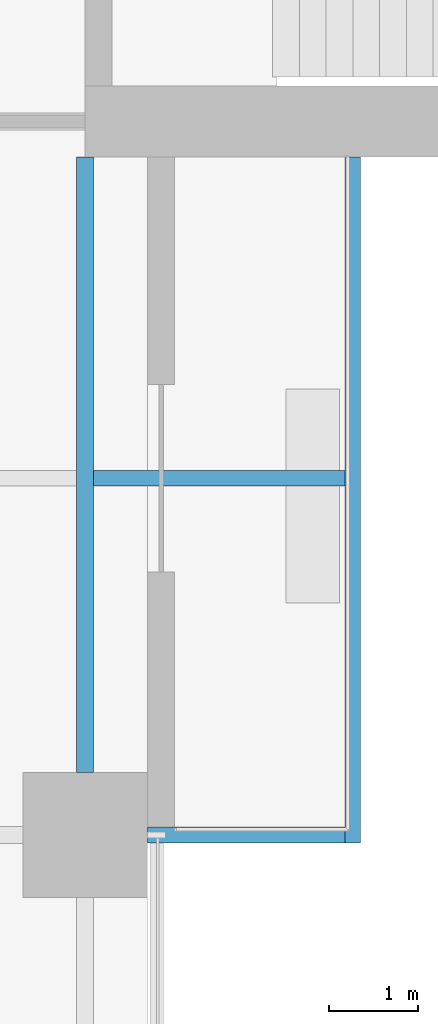
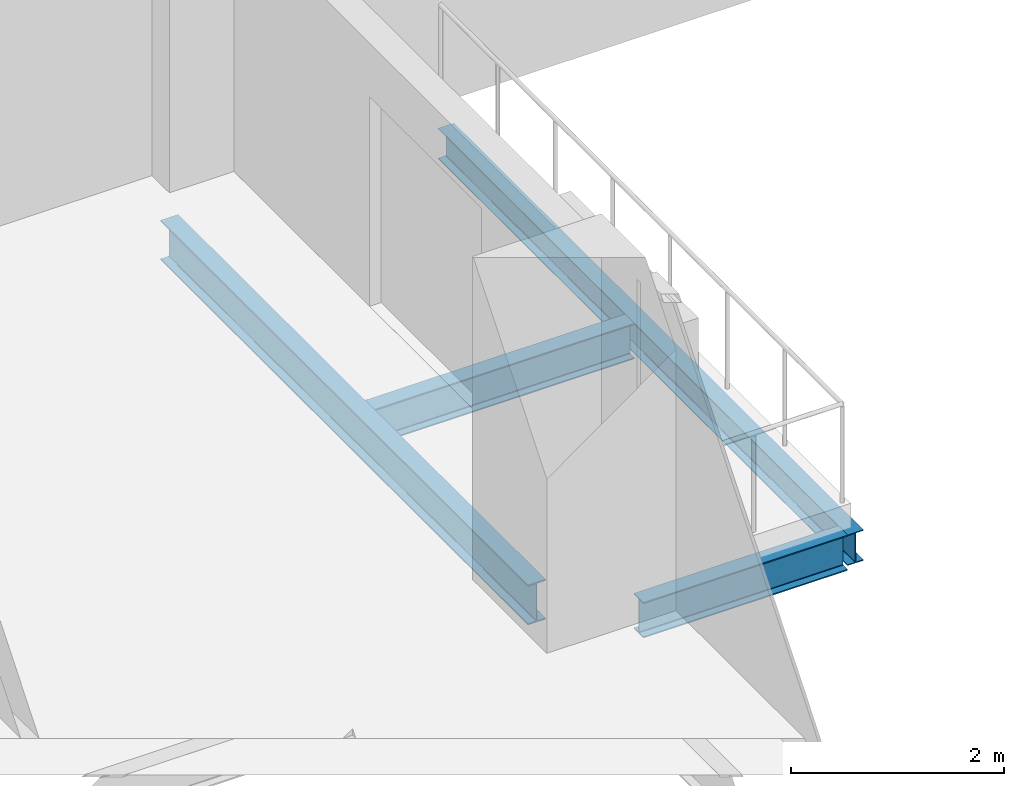
# One storey, part 5 of 27: 4 beams.
"""IFC4 building model written with IfcOpenShell, lengths in metres."""

from ifc_helpers import new_model, si_unit, direction, frame, origin, origin_2d, place, context, subcontext, project, spatial, i_section, extrude, material, material_profile, profile_set, type_object, element, save


model = new_model("IFC4")

# Units and contexts
model_context = context("Model", 3, precision=1e-05, world=origin(), true_north=direction((0.0, 1.0)))
body_context = subcontext(model_context, "Body", "Model", "MODEL_VIEW")
ifc_project = project(units=[si_unit("LENGTHUNIT", "METRE"), si_unit("AREAUNIT", "SQUARE_METRE"), si_unit("VOLUMEUNIT", "CUBIC_METRE"), si_unit("PLANEANGLEUNIT", "RADIAN"), si_unit("MASSUNIT", "GRAM", prefix="KILO")], contexts=[model_context])

# Site, building, storey
site_placement = place(None, origin())
site = spatial("IfcSite", under=ifc_project, at=site_placement, CompositionType="ELEMENT")
building_placement = place(site_placement, origin())
building = spatial("IfcBuilding", under=site, at=building_placement, Name="Crosswind Convention Tower", CompositionType="ELEMENT")
storey_placement = place(building_placement, frame((0.0, 0.0, 90.5)))
storey = spatial("IfcBuildingStorey", under=building, at=storey_placement, Name="L17", CompositionType="ELEMENT", Elevation=90.5)

# Beams
ifc_material = material(Name="Steel S355", Category="steel")
ifc_material_profile_1 = material_profile(ifc_material, i_section(OverallWidth=0.177734375, OverallDepth=0.406494140625, WebThickness=0.0078125, FlangeThickness=0.0126953125, FilletRadius=0.01025390625, at=origin_2d()), Name="UB 406x178x60")
ifc_profile_set_1 = profile_set([ifc_material_profile_1], Name="Steel S355")
beam_type_1 = type_object("IfcBeamType", Name="Balcony cantilever UB 406x178x60", PredefinedType="BEAM", material=ifc_profile_set_1)
beam_1_placement = place(storey_placement, frame((137.09521484375, 84.0, -0.483154296875), z_axis=(1.0, 0.0, 0.0), x_axis=(0.0, 1.0, 0.0)))
element("IfcBeam", 1, at=beam_1_placement, inside=storey, type_object=beam_type_1, Name="B35 L17 balcony cantilever SE 10", PredefinedType="BEAM", context=body_context, shape_type="SweptSolid", body=[
    extrude(i_section(OverallWidth=0.177734375, OverallDepth=0.406494140625, WebThickness=0.0078125, FlangeThickness=0.0126953125, FilletRadius=0.01025390625, at=origin_2d()), origin(), (0.0, 0.0, 1.0), 2.8193359375),
])
beam_2_placement = place(storey_placement, frame((137.699951171875, 80.0, -0.483154296875), z_axis=(1.0, 0.0, 0.0), x_axis=(0.0, 1.0, 0.0)))
element("IfcBeam", 2, at=beam_2_placement, inside=storey, type_object=beam_type_1, Name="B35 L17 balcony cantilever SE 11", PredefinedType="BEAM", context=body_context, shape_type="SweptSolid", body=[
    extrude(i_section(OverallWidth=0.177734375, OverallDepth=0.406494140625, WebThickness=0.0078125, FlangeThickness=0.0126953125, FilletRadius=0.01025390625, at=origin_2d()), origin(), (0.0, 0.0, 1.0), 2.214599609375),
])
ifc_material_profile_2 = material_profile(ifc_material, i_section(OverallWidth=0.1708984375, OverallDepth=0.35205078125, WebThickness=0.0068359375, FlangeThickness=0.009765625, FilletRadius=0.01025390625, at=origin_2d()), Name="UB 356x171x45")
ifc_profile_set_2 = profile_set([ifc_material_profile_2], Name="Steel S355")
beam_type_2 = type_object("IfcBeamType", Name="Balcony edge beam UB 356x171x45", PredefinedType="BEAM", material=ifc_profile_set_2)
beam_3_placement = place(storey_placement, frame((140.0, 87.60009765625, -0.4560546875), z_axis=(0.0, -1.0, 0.0), x_axis=(1.0, 0.0, 0.0)))
element("IfcBeam", 3, at=beam_3_placement, inside=storey, type_object=beam_type_2, Name="B37 L17 balcony edge beam SE 12", PredefinedType="BEAM", context=body_context, shape_type="SweptSolid", body=[
    extrude(i_section(OverallWidth=0.1708984375, OverallDepth=0.35205078125, WebThickness=0.0068359375, FlangeThickness=0.009765625, FilletRadius=0.01025390625, at=origin_2d()), origin(), (0.0, 0.0, 1.0), 7.68896484375),
])
ifc_material_profile_3 = material_profile(ifc_material, i_section(OverallWidth=0.1904296875, OverallDepth=0.457275390625, WebThickness=0.009033203125, FlangeThickness=0.014404296875, FilletRadius=0.01025390625, at=origin_2d()), Name="UB 457x191x75")
ifc_profile_set_3 = profile_set([ifc_material_profile_3], Name="Steel S355")
beam_type_3 = type_object("IfcBeamType", Name="Edge beam UB 457x191x75", PredefinedType="SPANDREL", material=ifc_profile_set_3)
beam_4_placement = place(storey_placement, frame((137.0, 80.699951171875, -0.508544921875), z_axis=(0.0, 1.0, 0.0), x_axis=(-1.0, 0.0, 0.0)))
element("IfcBeam", 4, at=beam_4_placement, inside=storey, type_object=beam_type_3, Name="B17 L17 edge beam 20", PredefinedType="SPANDREL", context=body_context, shape_type="SweptSolid", body=[
    extrude(i_section(OverallWidth=0.1904296875, OverallDepth=0.457275390625, WebThickness=0.009033203125, FlangeThickness=0.014404296875, FilletRadius=0.01025390625, at=origin_2d()), origin(), (0.0, 0.0, 1.0), 6.900146484375),
])

save(model, "model.ifc")
